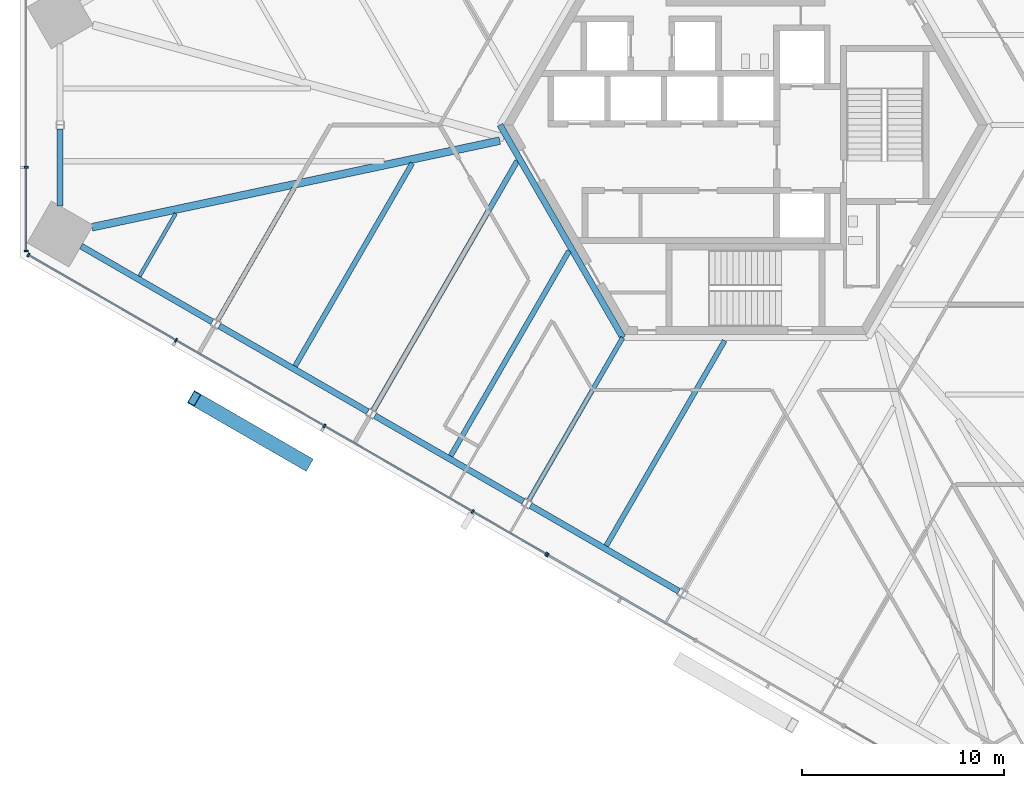
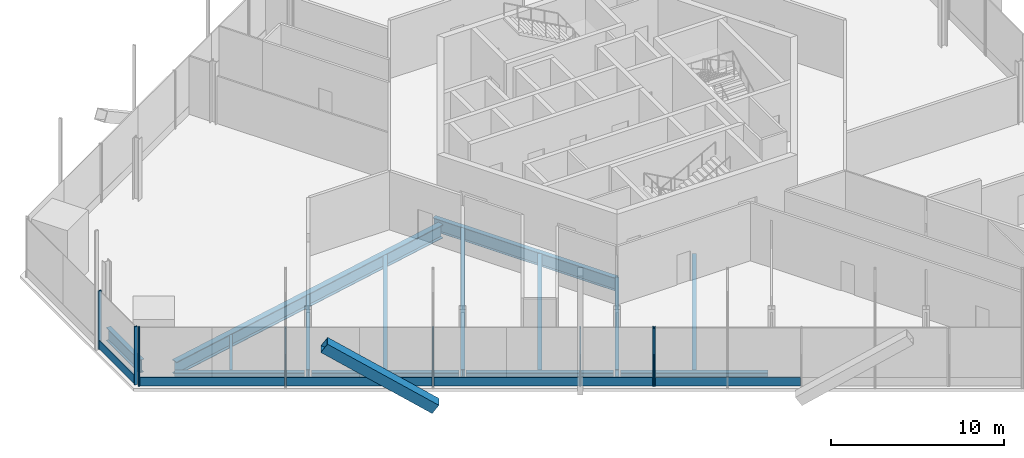
# One storey, part 3 of 19: 15 members, 14 beams, 3 elements without a shape of their own.
"""IFC4 building model written with IfcOpenShell, lengths in metres."""

from ifc_helpers import new_model, si_unit, direction, frame, origin, origin_2d, place, context, subcontext, project, spatial, rectangle, hollow_rectangle, i_section, extrude, source, transform, mapped, material, material_profile, profile_set, type_object, element, aggregate, save


model = new_model("IFC4")

# Units and contexts
model_context = context("Model", 3, precision=1e-05, world=origin(), true_north=direction((0.0, 1.0)))
body_context = subcontext(model_context, "Body", "Model", "MODEL_VIEW")
ifc_project = project(units=[si_unit("LENGTHUNIT", "METRE"), si_unit("AREAUNIT", "SQUARE_METRE"), si_unit("VOLUMEUNIT", "CUBIC_METRE"), si_unit("PLANEANGLEUNIT", "RADIAN"), si_unit("MASSUNIT", "GRAM", prefix="KILO")], contexts=[model_context])

# Site, building, storey
site_placement = place(None, origin())
site = spatial("IfcSite", under=ifc_project, at=site_placement, CompositionType="ELEMENT")
building_placement = place(site_placement, origin())
building = spatial("IfcBuilding", under=site, at=building_placement, Name="Triune Harvest Tower", CompositionType="ELEMENT")
storey_placement = place(building_placement, frame((0.0, 0.0, 41.800048828125)))
storey = spatial("IfcBuildingStorey", under=building, at=storey_placement, Name="L09", CompositionType="ELEMENT", Elevation=41.800048828125)

# Beams
ifc_material_1 = material(Name="Steel ASTM A992 Gr 50", Category="steel")
ifc_material_profile_1 = material_profile(ifc_material_1, i_section(OverallWidth=0.3046875, OverallDepth=0.914306640625, WebThickness=0.0166015625, FlangeThickness=0.02587890625, at=origin_2d()), Name="W36x160")
ifc_profile_set_1 = profile_set([ifc_material_profile_1], Name="Steel ASTM A992 Gr 50")
beam_type_1 = type_object("IfcBeamType", Name="CG-1 Core ring girder W36x160", PredefinedType="BEAM", material=ifc_profile_set_1)
shared_shape_1 = source(origin(), body_context, "Body", "SweptSolid", [
    extrude(i_section(OverallWidth=0.3046875, OverallDepth=0.914306640625, WebThickness=0.0166015625, FlangeThickness=0.02587890625, at=origin_2d()), origin(), (0.0, 0.0, 1.0), 12.176025390625),
])
beam_1_placement = place(storey_placement, frame((-12.176025390625, 0.0, -0.6572265625), z_axis=(0.5000099932, -0.866019634131, 0.0), x_axis=(0.866019634131, 0.5000099932, 0.0)))
element("IfcBeam", 1, at=beam_1_placement, inside=storey, type_object=beam_type_1, Name="beam/L09/CG4", PredefinedType="BEAM", context=body_context, shape_type="MappedRepresentation", body=[
    mapped(shared_shape_1, transform((0.0, 0.0, 0.0), scale=1.0)),
])
ifc_material_2 = material(Name="Steel ASTM A992 Gr 50", Category="steel")
ifc_material_profile_2 = material_profile(ifc_material_2, i_section(OverallWidth=0.383544921875, OverallDepth=0.9423828125, WebThickness=0.022216796875, FlangeThickness=0.039794921875, at=origin_2d()), Name="W36x232")
ifc_profile_set_2 = profile_set([ifc_material_profile_2], Name="Steel ASTM A992 Gr 50")
beam_type_2 = type_object("IfcBeamType", Name="HG-1 Hip girder W36x232", PredefinedType="BEAM", material=ifc_profile_set_2)
shared_shape_2 = source(origin(), body_context, "Body", "SweptSolid", [
    extrude(i_section(OverallWidth=0.383544921875, OverallDepth=0.9423828125, WebThickness=0.022216796875, FlangeThickness=0.039794921875, at=origin_2d()), origin(), (0.0, 0.0, 1.0), 20.676025390625),
])
beam_2_placement = place(storey_placement, frame((-32.4091796875, -5.07470703125, -0.671142578125), z_axis=(0.978185071399, 0.207735327022, 0.0), x_axis=(-0.207735327022, 0.978185071399, 0.0)))
element("IfcBeam", 2, at=beam_2_placement, inside=storey, type_object=beam_type_2, Name="beam/L09/HG5", PredefinedType="BEAM", context=body_context, shape_type="MappedRepresentation", body=[
    mapped(shared_shape_2, transform((0.0, 0.0, 0.0), scale=1.0)),
])
ifc_material_3 = material(Name="Steel ASTM A992 Gr 50", Category="steel")
ifc_material_profile_3 = material_profile(ifc_material_3, i_section(OverallWidth=0.22900390625, OverallDepth=0.612060546875, WebThickness=0.011962890625, FlangeThickness=0.01953125, at=origin_2d()), Name="W24x84")
ifc_profile_set_3 = profile_set([ifc_material_profile_3], Name="Steel ASTM A992 Gr 50")
beam_type_3 = type_object("IfcBeamType", Name="JT-3 Floor joist W24x84", PredefinedType="JOIST", material=ifc_profile_set_3)
shared_shape_3 = source(origin(), body_context, "Body", "SweptSolid", [
    extrude(i_section(OverallWidth=0.22900390625, OverallDepth=0.612060546875, WebThickness=0.011962890625, FlangeThickness=0.01953125, at=origin_2d()), origin(), (0.0, 0.0, 1.0), 7.558349609375),
])
beam_3_placement = place(storey_placement, frame((-26.170654296875, -9.68896484375, -0.506103515625), z_axis=(0.499991809969, 0.866030132249, 0.0), x_axis=(-0.866030132249, 0.499991809969, 0.0)))
element("IfcBeam", 3, at=beam_3_placement, inside=storey, type_object=beam_type_3, Name="beam/L09/JT28", PredefinedType="JOIST", context=body_context, shape_type="MappedRepresentation", body=[
    mapped(shared_shape_3, transform((0.0, 0.0, 0.0), scale=1.0)),
])
ifc_material_4 = material(Name="Steel ASTM A992 Gr 50", Category="steel")
ifc_material_profile_4 = material_profile(ifc_material_4, i_section(OverallWidth=0.2666015625, OverallDepth=0.7568359375, WebThickness=0.013916015625, FlangeThickness=0.019287109375, at=origin_2d()), Name="W30x108")
ifc_profile_set_4 = profile_set([ifc_material_profile_4], Name="Steel ASTM A992 Gr 50")
beam_type_4 = type_object("IfcBeamType", Name="JT-5 Floor joist W30x108", PredefinedType="JOIST", material=ifc_profile_set_4)
shared_shape_4 = source(origin(), body_context, "Body", "SweptSolid", [
    extrude(i_section(OverallWidth=0.2666015625, OverallDepth=0.7568359375, WebThickness=0.013916015625, FlangeThickness=0.019287109375, at=origin_2d()), origin(), (0.0, 0.0, 1.0), 14.2685546875),
])
beam_4_placement = place(storey_placement, frame((-18.454345703125, -14.14404296875, -0.57861328125), z_axis=(0.499987083308, 0.866032861112, 0.0), x_axis=(-0.866032861112, 0.499987083308, 0.0)))
element("IfcBeam", 4, at=beam_4_placement, inside=storey, type_object=beam_type_4, Name="beam/L09/JT30", PredefinedType="JOIST", context=body_context, shape_type="MappedRepresentation", body=[
    mapped(shared_shape_4, transform((0.0, 0.0, 0.0), scale=1.0)),
])
shared_shape_5 = source(origin(), body_context, "Body", "SweptSolid", [
    extrude(i_section(OverallWidth=0.22900390625, OverallDepth=0.612060546875, WebThickness=0.011962890625, FlangeThickness=0.01953125, at=origin_2d()), origin(), (0.0, 0.0, 1.0), 9.300537109375),
])
beam_5_placement = place(storey_placement, frame((-10.738037109375, -18.59912109375, -0.506103515625), z_axis=(0.49999285859, 0.86602952684, 0.0), x_axis=(-0.86602952684, 0.49999285859, 0.0)))
element("IfcBeam", 5, at=beam_5_placement, inside=storey, type_object=beam_type_3, Name="beam/L09/JT32", PredefinedType="JOIST", context=body_context, shape_type="MappedRepresentation", body=[
    mapped(shared_shape_5, transform((0.0, 0.0, 0.0), scale=1.0)),
])
ifc_material_5 = material(Name="Steel ASTM A992 Gr 50", Category="steel")
ifc_material_profile_5 = material_profile(ifc_material_5, i_section(OverallWidth=0.3046875, OverallDepth=0.914306640625, WebThickness=0.0166015625, FlangeThickness=0.02587890625, at=origin_2d()), Name="W36x160")
ifc_profile_set_5 = profile_set([ifc_material_profile_5], Name="Steel ASTM A992 Gr 50")
beam_type_5 = type_object("IfcBeamType", Name="SB-1 Spandrel beam W36x160", PredefinedType="SPANDREL", material=ifc_profile_set_5)
shared_shape_6 = source(origin(), body_context, "Body", "SweptSolid", [
    extrude(i_section(OverallWidth=0.3046875, OverallDepth=0.914306640625, WebThickness=0.0166015625, FlangeThickness=0.02587890625, at=origin_2d()), origin(), (0.0, 0.0, 1.0), 7.508056640625),
])
beam_6_placement = place(storey_placement, frame((-32.949462890625, -6.010009765625, -0.6572265625), z_axis=(0.866033425553, -0.499986105632, 0.0), x_axis=(0.499986105632, 0.866033425553, 0.0)))
element("IfcBeam", 6, at=beam_6_placement, inside=storey, type_object=beam_type_5, Name="beam/L09/SB17", PredefinedType="SPANDREL", context=body_context, shape_type="MappedRepresentation", body=[
    mapped(shared_shape_6, transform((0.0, 0.0, 0.0), scale=1.0)),
])
shared_shape_7 = source(origin(), body_context, "Body", "SweptSolid", [
    extrude(i_section(OverallWidth=0.3046875, OverallDepth=0.914306640625, WebThickness=0.0166015625, FlangeThickness=0.02587890625, at=origin_2d()), origin(), (0.0, 0.0, 1.0), 8.506103515625),
])
for number, where, z_axis, x_axis, name in (
    (7, (-26.097412109375, -9.966064453125, -0.6572265625), (0.866030246746, -0.49999161165, 0.0), (0.49999161165, 0.866030246746, 0.0), "beam/L09/SB18"),
    (8, (-18.381103515625, -14.4208984375, -0.6572265625), (0.866017818397, -0.500013138047, 0.0), (0.500013138047, 0.866017818397, 0.0), "beam/L09/SB19"),
    (9, (-10.664794921875, -18.8759765625, -0.6572265625), (0.866030246746, -0.49999161165, 0.0), (0.49999161165, 0.866030246746, 0.0), "beam/L09/SB20"),
):
    element("IfcBeam", number, at=place(storey_placement, frame(where, z_axis=z_axis, x_axis=x_axis)), inside=storey, type_object=beam_type_5, Name=name, PredefinedType="SPANDREL", context=body_context, shape_type="MappedRepresentation", body=[
        mapped(shared_shape_7, transform((0.0, 0.0, 0.0), scale=1.0)),
    ])
shared_shape_8 = source(origin(), body_context, "Body", "SweptSolid", [
    extrude(i_section(OverallWidth=0.3046875, OverallDepth=0.914306640625, WebThickness=0.0166015625, FlangeThickness=0.02587890625, at=origin_2d()), origin(), (0.0, 0.0, 1.0), 3.822509765625),
])
beam_7_placement = place(storey_placement, frame((-33.988525390625, -0.201904296875, -0.6572265625), z_axis=(0.0, -1.0, 0.0), x_axis=(1.0, 0.0, 0.0)))
element("IfcBeam", 10, at=beam_7_placement, inside=storey, type_object=beam_type_5, Name="beam/L09/SB16", PredefinedType="SPANDREL", context=body_context, shape_type="MappedRepresentation", body=[
    mapped(shared_shape_8, transform((0.0, 0.0, 0.0), scale=1.0)),
])
ifc_material_6 = material(Name="Steel ASTM A992 Gr 50", Category="steel")
ifc_material_profile_6 = material_profile(ifc_material_6, i_section(OverallWidth=0.253662109375, OverallDepth=0.683349609375, WebThickness=0.012451171875, FlangeThickness=0.01904296875, at=origin_2d()), Name="W27x94")
ifc_profile_set_6 = profile_set([ifc_material_profile_6], Name="Steel ASTM A992 Gr 50")
beam_type_6 = type_object("IfcBeamType", Name="JT-4 Floor joist W27x94", PredefinedType="JOIST", material=ifc_profile_set_6)
shared_shape_9 = source(origin(), body_context, "Body", "SweptSolid", [
    extrude(i_section(OverallWidth=0.253662109375, OverallDepth=0.683349609375, WebThickness=0.012451171875, FlangeThickness=0.01904296875, at=origin_2d()), origin(), (0.0, 0.0, 1.0), 11.618896484375),
])
beam_8_placement = place(storey_placement, frame((-22.337890625, -11.96044921875, -0.541748046875), z_axis=(0.500008015982, 0.866020775706, 0.0), x_axis=(-0.866020775706, 0.500008015982, 0.0)))
element("IfcBeam", 11, at=beam_8_placement, inside=storey, type_object=beam_type_6, Name="beam/L09/JT29", PredefinedType="JOIST", context=body_context, shape_type="MappedRepresentation", body=[
    mapped(shared_shape_9, transform((0.0, 0.0, 0.0), scale=1.0)),
])
shared_shape_10 = source(origin(), body_context, "Body", "SweptSolid", [
    extrude(i_section(OverallWidth=0.253662109375, OverallDepth=0.683349609375, WebThickness=0.012451171875, FlangeThickness=0.01904296875, at=origin_2d()), origin(), (0.0, 0.0, 1.0), 11.74755859375),
])
beam_9_placement = place(storey_placement, frame((-6.905517578125, -20.87060546875, -0.541748046875), z_axis=(0.500003693016, 0.86602327161, 0.0), x_axis=(-0.86602327161, 0.500003693016, 0.0)))
element("IfcBeam", 12, at=beam_9_placement, inside=storey, type_object=beam_type_6, Name="beam/L09/JT33", PredefinedType="JOIST", context=body_context, shape_type="MappedRepresentation", body=[
    mapped(shared_shape_10, transform((0.0, 0.0, 0.0), scale=1.0)),
])
shared_shape_11 = source(origin(), body_context, "Body", "SweptSolid", [
    extrude(i_section(OverallWidth=0.253662109375, OverallDepth=0.683349609375, WebThickness=0.012451171875, FlangeThickness=0.01904296875, at=origin_2d()), origin(), (0.0, 0.0, 1.0), 11.7470703125),
])
beam_10_placement = place(storey_placement, frame((-14.62158203125, -16.41552734375, -0.541748046875), z_axis=(0.49999710518, 0.866027075103, 0.0), x_axis=(-0.866027075103, 0.49999710518, 0.0)))
element("IfcBeam", 13, at=beam_10_placement, inside=storey, type_object=beam_type_6, Name="beam/L09/JT31", PredefinedType="JOIST", context=body_context, shape_type="MappedRepresentation", body=[
    mapped(shared_shape_11, transform((0.0, 0.0, 0.0), scale=1.0)),
])
ifc_material_7 = material(Name="Steel ASTM A992 Gr 50", Category="steel")
ifc_material_profile_7 = material_profile(ifc_material_7, i_section(OverallWidth=0.180908203125, OverallDepth=0.41650390625, WebThickness=0.010986328125, FlangeThickness=0.01806640625, at=origin_2d()), Name="W16x57")
ifc_profile_set_7 = profile_set([ifc_material_profile_7], Name="Steel ASTM A992 Gr 50")
beam_type_7 = type_object("IfcBeamType", Name="JT-1 Floor joist W16x57", PredefinedType="JOIST", material=ifc_profile_set_7)
shared_shape_12 = source(origin(), body_context, "Body", "SweptSolid", [
    extrude(i_section(OverallWidth=0.180908203125, OverallDepth=0.41650390625, WebThickness=0.010986328125, FlangeThickness=0.01806640625, at=origin_2d()), origin(), (0.0, 0.0, 1.0), 3.599609375),
])
beam_11_placement = place(storey_placement, frame((-30.05419921875, -7.505615234375, -0.408447265625), z_axis=(0.499990559667, 0.866030854095, 0.0), x_axis=(-0.866030854095, 0.499990559667, 0.0)))
element("IfcBeam", 14, at=beam_11_placement, inside=storey, type_object=beam_type_7, Name="beam/L09/JT27", PredefinedType="JOIST", context=body_context, shape_type="MappedRepresentation", body=[
    mapped(shared_shape_12, transform((0.0, 0.0, 0.0), scale=1.0)),
])

# Member
ifc_material_8 = material(Name="Steel ASTM A572 Gr 50", Category="steel")
ifc_material_profile_8 = material_profile(ifc_material_8, hollow_rectangle(XDim=0.699951171875, YDim=0.699951171875, WallThickness=0.0400390625, at=origin_2d()), Name="Box 700x700x40")
ifc_profile_set_8 = profile_set([ifc_material_profile_8], Name="Steel ASTM A572 Gr 50")
member_type_1 = type_object("IfcMemberType", Name="BR-1 Brace Box 700x700x40", PredefinedType="BRACE", material=ifc_profile_set_8)
shared_shape_13 = source(origin(), body_context, "Body", "SweptSolid", [
    extrude(hollow_rectangle(XDim=0.699951171875, YDim=0.699951171875, WallThickness=0.0400390625, at=origin_2d()), origin(), (0.0, 0.0, 1.0), 7.728759765625),
])
member_1_placement = place(storey_placement, frame((-21.779541015625, -16.77978515625, 0.0), z_axis=(-0.719594572659, 0.415488472967, 0.556374855498), x_axis=(-0.500027396176, -0.866009586017, 0.0)))
element("IfcMember", 15, at=member_1_placement, inside=storey, type_object=member_type_1, Name="brace/B1-F5/d2/7", PredefinedType="BRACE", context=body_context, shape_type="MappedRepresentation", body=[
    mapped(shared_shape_13, transform((0.0, 0.0, 0.0), scale=1.0)),
])

# Curtain wall, members
ifc_material_9 = material(Name="Aluminium bronze anodised", Category="aluminium")
curtain_wall_type_1 = type_object("IfcCurtainWallType", Name="CW-3 Farm floor curtain wall", PredefinedType="NOTDEFINED", material=ifc_material_9)
curtain_wall_1_placement = place(storey_placement, origin())
curtain_wall_1 = element("IfcCurtainWall", 16, at=curtain_wall_1_placement, inside=storey, type_object=curtain_wall_type_1, Name="CW-3 B1-F4 L09 run 1")
ifc_material_10 = material(Name="Aluminium bronze anodised", Category="aluminium")
ifc_material_profile_9 = material_profile(ifc_material_10, rectangle(XDim=0.090087890625, YDim=0.60009765625, at=origin_2d()), Name="TR-3 transom 90 x 600")
ifc_profile_set_9 = profile_set([ifc_material_profile_9], Name="Aluminium bronze anodised")
member_type_2 = type_object("IfcMemberType", Name="TR-3 transom 90 x 600", PredefinedType="USERDEFINED", material=ifc_profile_set_9)
shared_shape_14 = source(origin(), body_context, "Body", "SweptSolid", [
    extrude(rectangle(XDim=0.090087890625, YDim=0.60009765625, at=origin_2d()), origin(), (0.0, 0.0, 1.0), 4.077880859375),
])
member_2_placement = place(storey_placement, frame((-35.680419921875, -2.138916015625, 0.300048828125), z_axis=(0.0, -1.0, 0.0), x_axis=(1.0, 0.0, 0.0)))
member_2 = element("IfcMember", 17, at=member_2_placement, type_object=member_type_2, Name="CW-3 transom B1-F4 1.2", ObjectType="TRANSOM", PredefinedType="USERDEFINED", context=body_context, shape_type="MappedRepresentation", body=[
    mapped(shared_shape_14, transform((0.0, 0.0, 0.0), scale=1.0)),
])
ifc_material_11 = material(Name="Aluminium bronze anodised", Category="aluminium")
ifc_material_profile_10 = material_profile(ifc_material_11, rectangle(XDim=0.199951171875, YDim=0.080078125, at=origin_2d()), Name="MU-3 mullion 80 x 200")
ifc_profile_set_10 = profile_set([ifc_material_profile_10], Name="Aluminium bronze anodised")
member_type_3 = type_object("IfcMemberType", Name="MU-3 mullion 80 x 200", PredefinedType="MULLION", material=ifc_profile_set_10)
shared_shape_15 = source(origin(), body_context, "Body", "SweptSolid", [
    extrude(rectangle(XDim=0.199951171875, YDim=0.080078125, at=origin_2d()), origin(), (0.0, 0.0, 1.0), 4.099853515625),
])
member_3_placement = place(storey_placement, frame((-35.680419921875, -2.098876953125, 0.0), z_axis=(0.0, 0.0, 1.0), x_axis=(1.0, 0.0, 0.0)))
member_3 = element("IfcMember", 18, at=member_3_placement, type_object=member_type_3, Name="CW-3 mullion B1-F4 1.3", PredefinedType="MULLION", context=body_context, shape_type="MappedRepresentation", body=[
    mapped(shared_shape_15, transform((0.0, 0.0, 0.0), scale=1.0)),
])
member_4_placement = place(storey_placement, frame((-35.680419921875, -6.2568359375, 0.0), z_axis=(0.0, 0.0, 1.0), x_axis=(1.0, 0.0, 0.0)))
member_4 = element("IfcMember", 19, at=member_4_placement, type_object=member_type_3, Name="CW-3 mullion B1-F4 1.4", PredefinedType="MULLION", context=body_context, shape_type="MappedRepresentation", body=[
    mapped(shared_shape_15, transform((0.0, 0.0, 0.0), scale=1.0)),
])
aggregate(curtain_wall_1, [member_3, member_4, member_2])

curtain_wall_2_placement = place(storey_placement, origin())
curtain_wall_2 = element("IfcCurtainWall", 20, at=curtain_wall_2_placement, inside=storey, type_object=curtain_wall_type_1, Name="CW-3 B1-F5 L09 run 1")
member_5_placement = place(storey_placement, frame((-35.56787109375, -6.451904296875, 0.0), z_axis=(0.0, 0.0, 1.0), x_axis=(0.499999665853, 0.866025596704, 0.0)))
member_5 = element("IfcMember", 21, at=member_5_placement, type_object=member_type_3, Name="CW-3 mullion B1-F5 1.1", PredefinedType="MULLION", context=body_context, shape_type="MappedRepresentation", body=[
    mapped(shared_shape_15, transform((0.0, 0.0, 0.0), scale=1.0)),
])
member_6_placement = place(storey_placement, frame((-28.243408203125, -10.6806640625, 0.0), z_axis=(0.0, 0.0, 1.0), x_axis=(0.499999665853, 0.866025596704, 0.0)))
member_6 = element("IfcMember", 22, at=member_6_placement, type_object=member_type_3, Name="CW-3 mullion B1-F5 1.3", PredefinedType="MULLION", context=body_context, shape_type="MappedRepresentation", body=[
    mapped(shared_shape_15, transform((0.0, 0.0, 0.0), scale=1.0)),
])
member_7_placement = place(storey_placement, frame((-20.884521484375, -14.92919921875, 0.0), z_axis=(0.0, 0.0, 1.0), x_axis=(0.499999665853, 0.866025596704, 0.0)))
member_7 = element("IfcMember", 23, at=member_7_placement, type_object=member_type_3, Name="CW-3 mullion B1-F5 1.5", PredefinedType="MULLION", context=body_context, shape_type="MappedRepresentation", body=[
    mapped(shared_shape_15, transform((0.0, 0.0, 0.0), scale=1.0)),
])
member_8_placement = place(storey_placement, frame((-13.525390625, -19.177978515625, 0.0), z_axis=(0.0, 0.0, 1.0), x_axis=(0.499999665853, 0.866025596704, 0.0)))
member_8 = element("IfcMember", 24, at=member_8_placement, type_object=member_type_3, Name="CW-3 mullion B1-F5 1.7", PredefinedType="MULLION", context=body_context, shape_type="MappedRepresentation", body=[
    mapped(shared_shape_15, transform((0.0, 0.0, 0.0), scale=1.0)),
])
member_9_placement = place(storey_placement, frame((-9.880615234375, -21.282470703125, 0.0), z_axis=(0.0, 0.0, 1.0), x_axis=(0.499999665853, 0.866025596704, 0.0)))
member_9 = element("IfcMember", 25, at=member_9_placement, type_object=member_type_3, Name="CW-3 mullion B1-F5 1.8", PredefinedType="MULLION", context=body_context, shape_type="MappedRepresentation", body=[
    mapped(shared_shape_15, transform((0.0, 0.0, 0.0), scale=1.0)),
])

# Curtain wall, member
ifc_material_12 = material(Name="Aluminium bronze anodised", Category="aluminium")
curtain_wall_type_2 = type_object("IfcCurtainWallType", Name="CW-8 Farm floor curtain wall with insulated spandrel infill", PredefinedType="NOTDEFINED", material=ifc_material_12)
curtain_wall_3_placement = place(storey_placement, origin())
curtain_wall_3 = element("IfcCurtainWall", 26, at=curtain_wall_3_placement, inside=storey, type_object=curtain_wall_type_2, Name="CW-8 B1-F5 L09 run 1001")
member_10_placement = place(storey_placement, frame((-9.811279296875, -21.322509765625, 0.0), z_axis=(0.0, 0.0, 1.0), x_axis=(0.500002592159, 0.866023907196, 0.0)))
member_10 = element("IfcMember", 27, at=member_10_placement, type_object=member_type_3, Name="CW-8 mullion B1-F5 1001.1", PredefinedType="MULLION", context=body_context, shape_type="MappedRepresentation", body=[
    mapped(shared_shape_15, transform((0.0, 0.0, 0.0), scale=1.0)),
])

# Member
shared_shape_16 = source(origin(), body_context, "Body", "SweptSolid", [
    extrude(rectangle(XDim=0.090087890625, YDim=0.60009765625, at=origin_2d()), origin(), (0.0, 0.0, 1.0), 8.41748046875),
])
member_11_placement = place(storey_placement, frame((-28.208984375, -10.700439453125, 0.300048828125), z_axis=(0.866026680883, -0.499997787995, 0.0), x_axis=(0.499997787995, 0.866026680883, 0.0)))
member_11 = element("IfcMember", 28, at=member_11_placement, type_object=member_type_2, Name="CW-3 transom B1-F5 1.2", ObjectType="TRANSOM", PredefinedType="USERDEFINED", context=body_context, shape_type="MappedRepresentation", body=[
    mapped(shared_shape_16, transform((0.0, 0.0, 0.0), scale=1.0)),
])

member_12_placement = place(storey_placement, frame((-20.849853515625, -14.94921875, 0.300048828125), z_axis=(0.866026680883, -0.499997787995, 0.0), x_axis=(0.499997787995, 0.866026680883, 0.0)))
member_12 = element("IfcMember", 29, at=member_12_placement, type_object=member_type_2, Name="CW-3 transom B1-F5 1.3", ObjectType="TRANSOM", PredefinedType="USERDEFINED", context=body_context, shape_type="MappedRepresentation", body=[
    mapped(shared_shape_16, transform((0.0, 0.0, 0.0), scale=1.0)),
])

shared_shape_17 = source(origin(), body_context, "Body", "SweptSolid", [
    extrude(rectangle(XDim=0.090087890625, YDim=0.60009765625, at=origin_2d()), origin(), (0.0, 0.0, 1.0), 4.128662109375),
])
member_13_placement = place(storey_placement, frame((-13.49072265625, -19.197998046875, 0.300048828125), z_axis=(0.86600734348, -0.500031280059, 0.0), x_axis=(0.500031280059, 0.86600734348, 0.0)))
member_13 = element("IfcMember", 30, at=member_13_placement, type_object=member_type_2, Name="CW-3 transom B1-F5 1.4", ObjectType="TRANSOM", PredefinedType="USERDEFINED", context=body_context, shape_type="MappedRepresentation", body=[
    mapped(shared_shape_17, transform((0.0, 0.0, 0.0), scale=1.0)),
])

shared_shape_18 = source(origin(), body_context, "Body", "SweptSolid", [
    extrude(rectangle(XDim=0.090087890625, YDim=0.60009765625, at=origin_2d()), origin(), (0.0, 0.0, 1.0), 8.377685546875),
])
member_14_placement = place(storey_placement, frame((-35.533203125, -6.4716796875, 0.300048828125), z_axis=(0.866014273083, -0.500019278445, 0.0), x_axis=(0.500019278445, 0.866014273083, 0.0)))
member_14 = element("IfcMember", 31, at=member_14_placement, type_object=member_type_2, Name="CW-3 transom B1-F5 1.1", ObjectType="TRANSOM", PredefinedType="USERDEFINED", context=body_context, shape_type="MappedRepresentation", body=[
    mapped(shared_shape_18, transform((0.0, 0.0, 0.0), scale=1.0)),
])

aggregate(curtain_wall_2, [member_5, member_6, member_7, member_8, member_9, member_14, member_11, member_12, member_13])

member_15_placement = place(storey_placement, frame((-9.776611328125, -21.34228515625, 0.300048828125), z_axis=(0.866014273083, -0.500019278445, 0.0), x_axis=(0.500019278445, 0.866014273083, 0.0)))
member_15 = element("IfcMember", 32, at=member_15_placement, type_object=member_type_2, Name="CW-8 transom B1-F5 1001.1", ObjectType="TRANSOM", PredefinedType="USERDEFINED", context=body_context, shape_type="MappedRepresentation", body=[
    mapped(shared_shape_18, transform((0.0, 0.0, 0.0), scale=1.0)),
])

aggregate(curtain_wall_3, [member_10, member_15])

save(model, "model.ifc")
